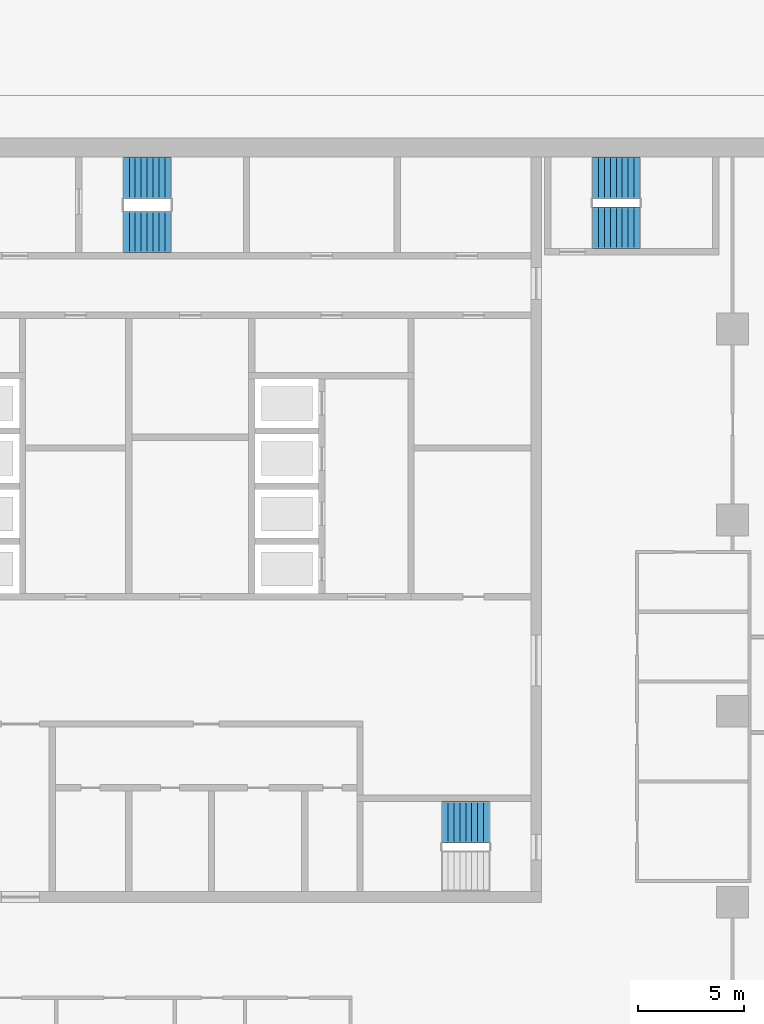
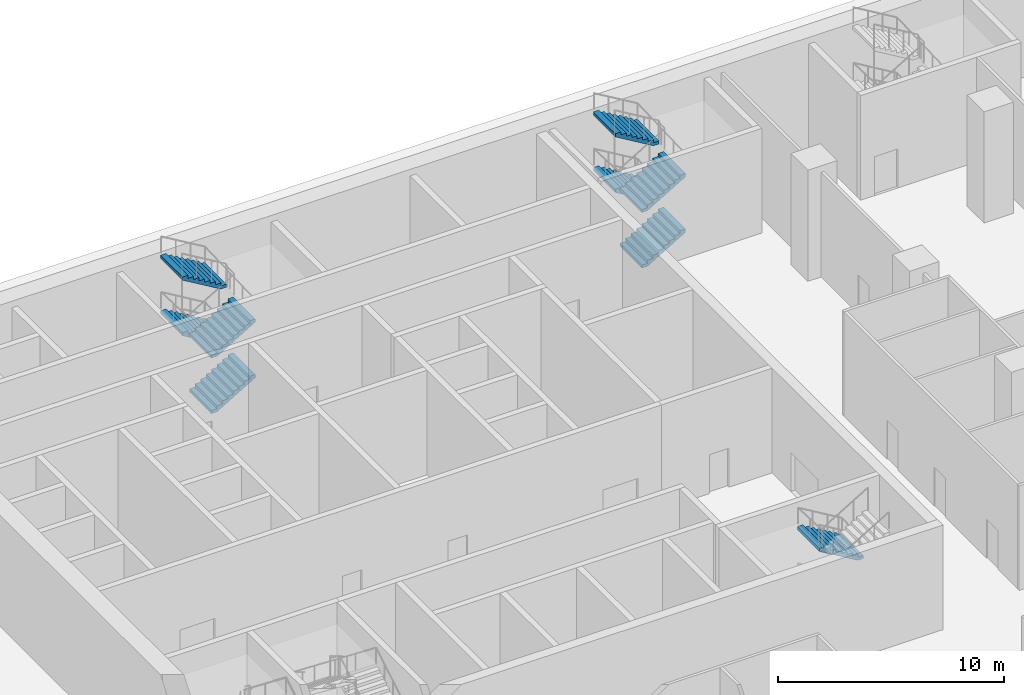
# One storey, part 31 of 47: 9 stair flights, 3 elements without a shape of their own.
"""IFC4 building model written with IfcOpenShell, lengths in metres."""

from ifc_helpers import new_model, si_unit, direction, frame, origin, place, context, subcontext, project, spatial, polyline, outline, extrude, material, type_object, element, aggregate, save


model = new_model("IFC4")

# Units and contexts
model_context = context("Model", 3, precision=1e-05, world=origin(), true_north=direction((0.0, 1.0)))
body_context = subcontext(model_context, "Body", "Model", "MODEL_VIEW")
ifc_project = project(units=[si_unit("LENGTHUNIT", "METRE"), si_unit("AREAUNIT", "SQUARE_METRE"), si_unit("VOLUMEUNIT", "CUBIC_METRE"), si_unit("PLANEANGLEUNIT", "RADIAN"), si_unit("MASSUNIT", "GRAM", prefix="KILO")], contexts=[model_context])

# Site, building, storey
site_placement = place(None, origin())
site = spatial("IfcSite", under=ifc_project, at=site_placement, CompositionType="ELEMENT")
building_placement = place(site_placement, origin())
building = spatial("IfcBuilding", under=site, at=building_placement, Name="Hunhe Ridgeline Campus", CompositionType="ELEMENT")
storey_placement = place(building_placement, origin())
storey = spatial("IfcBuildingStorey", under=building, at=storey_placement, Name="L00", CompositionType="ELEMENT", Elevation=0.0)

# Stair, stair flights
ifc_material = material(Name="Concrete C40", Category="concrete")
stair_type = type_object("IfcStairType", Name="Reinforced concrete dog-leg stair 1950 Concrete C40", PredefinedType="HALF_TURN_STAIR", material=ifc_material)
stair_1_placement = place(storey_placement, origin())
stair_1 = element("IfcStair", 1, at=stair_1_placement, inside=storey, type_object=stair_type, Name="L00 S1", PredefinedType="HALF_TURN_STAIR")
stair_flight_type = type_object("IfcStairFlightType", Name="Reinforced concrete stair flight 1950 Concrete C40", PredefinedType="STRAIGHT", material=ifc_material)
stair_flight_1_placement = place(storey_placement, frame((16.300048828125, 94.574951171875, 0.0), z_axis=(0.0, 0.0, 1.0), x_axis=(1.0, 0.0, 0.0)))
stair_flight_1 = element("IfcStairFlight", 2, at=stair_flight_1_placement, type_object=stair_flight_type, Name="ST1 flight 1", NumberOfRisers=9, NumberOfTreads=8, PredefinedType="STRAIGHT", RiserHeight=0.166666667, TreadLength=0.28, context=body_context, shape_type="SweptSolid", body=[
    extrude(outline(polyline([(0.0, 0.0), (0.0, 0.166748046875), (0.280029296875, 0.166748046875), (0.280029296875, 0.333251953125), (0.56005859375, 0.333251953125), (0.56005859375, 0.5), (0.840087890625, 0.5), (0.840087890625, 0.666748046875), (1.1201171875, 0.666748046875), (1.1201171875, 0.833251953125), (1.39990234375, 0.833251953125), (1.39990234375, 1.0), (1.679931640625, 1.0), (1.679931640625, 1.166748046875), (1.9599609375, 1.166748046875), (1.9599609375, 1.333251953125), (2.239990234375, 1.333251953125), (2.239990234375, 1.5), (2.239990234375, 1.158935546875), (0.29296875, 0.0), (0.0, 0.0)])), frame((0.0, 0.97509765625, 0.0), z_axis=(0.0, -1.0, 0.0), x_axis=(1.0, 0.0, 0.0)), (0.0, 0.0, 1.0), 1.949951171875),
    extrude(outline(polyline([(0.030029296875, 0.030029296875), (0.030029296875, 0.13671875), (0.31005859375, 0.13671875), (0.31005859375, 0.30322265625), (0.590087890625, 0.30322265625), (0.590087890625, 0.469970703125), (0.8701171875, 0.469970703125), (0.8701171875, 0.63671875), (1.14990234375, 0.63671875), (1.14990234375, 0.80322265625), (1.429931640625, 0.80322265625), (1.429931640625, 0.969970703125), (1.7099609375, 0.969970703125), (1.7099609375, 1.13671875), (1.989990234375, 1.13671875), (1.989990234375, 1.30322265625), (2.2099609375, 1.30322265625), (2.2099609375, 1.17578125), (0.284912109375, 0.030029296875), (0.030029296875, 0.030029296875)])), frame((0.0, -0.070068359375, 0.0), z_axis=(0.0, -1.0, 0.0), x_axis=(1.0, 0.0, 0.0)), (0.0, 0.0, 1.0), 0.019775390625),
    extrude(outline(polyline([(0.030029296875, 0.030029296875), (0.030029296875, 0.13671875), (0.31005859375, 0.13671875), (0.31005859375, 0.30322265625), (0.590087890625, 0.30322265625), (0.590087890625, 0.469970703125), (0.8701171875, 0.469970703125), (0.8701171875, 0.63671875), (1.14990234375, 0.63671875), (1.14990234375, 0.80322265625), (1.429931640625, 0.80322265625), (1.429931640625, 0.969970703125), (1.7099609375, 0.969970703125), (1.7099609375, 1.13671875), (1.989990234375, 1.13671875), (1.989990234375, 1.30322265625), (2.2099609375, 1.30322265625), (2.2099609375, 1.17578125), (0.284912109375, 0.030029296875), (0.030029296875, 0.030029296875)])), frame((0.0, 0.010009765625, 0.0), z_axis=(0.0, -1.0, 0.0), x_axis=(1.0, 0.0, 0.0)), (0.0, 0.0, 1.0), 0.019775390625),
    extrude(outline(polyline([(0.030029296875, 0.030029296875), (0.030029296875, 0.13671875), (0.31005859375, 0.13671875), (0.31005859375, 0.30322265625), (0.590087890625, 0.30322265625), (0.590087890625, 0.469970703125), (0.8701171875, 0.469970703125), (0.8701171875, 0.63671875), (1.14990234375, 0.63671875), (1.14990234375, 0.80322265625), (1.429931640625, 0.80322265625), (1.429931640625, 0.969970703125), (1.7099609375, 0.969970703125), (1.7099609375, 1.13671875), (1.989990234375, 1.13671875), (1.989990234375, 1.30322265625), (2.2099609375, 1.30322265625), (2.2099609375, 1.17578125), (0.284912109375, 0.030029296875), (0.030029296875, 0.030029296875)])), frame((0.0, 0.090087890625, 0.0), z_axis=(0.0, -1.0, 0.0), x_axis=(1.0, 0.0, 0.0)), (0.0, 0.0, 1.0), 0.019775390625),
])
stair_flight_2_placement = place(storey_placement, frame((18.5400390625, 97.125, 1.5), z_axis=(0.0, 0.0, 1.0), x_axis=(-1.0, 0.0, 0.0)))
stair_flight_2 = element("IfcStairFlight", 3, at=stair_flight_2_placement, type_object=stair_flight_type, Name="ST1 flight 2", NumberOfRisers=9, NumberOfTreads=8, PredefinedType="STRAIGHT", RiserHeight=0.166666667, TreadLength=0.28, context=body_context, shape_type="SweptSolid", body=[
    extrude(outline(polyline([(0.0, 0.0), (0.0, 0.166748046875), (0.280029296875, 0.166748046875), (0.280029296875, 0.333251953125), (0.56005859375, 0.333251953125), (0.56005859375, 0.5), (0.840087890625, 0.5), (0.840087890625, 0.666748046875), (1.1201171875, 0.666748046875), (1.1201171875, 0.833251953125), (1.39990234375, 0.833251953125), (1.39990234375, 1.0), (1.679931640625, 1.0), (1.679931640625, 1.166748046875), (1.9599609375, 1.166748046875), (1.9599609375, 1.333251953125), (2.239990234375, 1.333251953125), (2.239990234375, 1.5), (2.239990234375, 1.158935546875), (0.29296875, 0.0), (0.0, 0.0)])), frame((0.0, 0.97509765625, 0.0), z_axis=(0.0, -1.0, 0.0), x_axis=(1.0, 0.0, 0.0)), (0.0, 0.0, 1.0), 1.949951171875),
    extrude(outline(polyline([(0.030029296875, 0.030029296875), (0.030029296875, 0.13671875), (0.31005859375, 0.13671875), (0.31005859375, 0.30322265625), (0.590087890625, 0.30322265625), (0.590087890625, 0.469970703125), (0.8701171875, 0.469970703125), (0.8701171875, 0.63671875), (1.14990234375, 0.63671875), (1.14990234375, 0.80322265625), (1.429931640625, 0.80322265625), (1.429931640625, 0.969970703125), (1.7099609375, 0.969970703125), (1.7099609375, 1.13671875), (1.989990234375, 1.13671875), (1.989990234375, 1.30322265625), (2.2099609375, 1.30322265625), (2.2099609375, 1.17578125), (0.284912109375, 0.030029296875), (0.030029296875, 0.030029296875)])), frame((0.0, -0.070068359375, 0.0), z_axis=(0.0, -1.0, 0.0), x_axis=(1.0, 0.0, 0.0)), (0.0, 0.0, 1.0), 0.019775390625),
    extrude(outline(polyline([(0.030029296875, 0.030029296875), (0.030029296875, 0.13671875), (0.31005859375, 0.13671875), (0.31005859375, 0.30322265625), (0.590087890625, 0.30322265625), (0.590087890625, 0.469970703125), (0.8701171875, 0.469970703125), (0.8701171875, 0.63671875), (1.14990234375, 0.63671875), (1.14990234375, 0.80322265625), (1.429931640625, 0.80322265625), (1.429931640625, 0.969970703125), (1.7099609375, 0.969970703125), (1.7099609375, 1.13671875), (1.989990234375, 1.13671875), (1.989990234375, 1.30322265625), (2.2099609375, 1.30322265625), (2.2099609375, 1.17578125), (0.284912109375, 0.030029296875), (0.030029296875, 0.030029296875)])), frame((0.0, 0.010009765625, 0.0), z_axis=(0.0, -1.0, 0.0), x_axis=(1.0, 0.0, 0.0)), (0.0, 0.0, 1.0), 0.019775390625),
    extrude(outline(polyline([(0.030029296875, 0.030029296875), (0.030029296875, 0.13671875), (0.31005859375, 0.13671875), (0.31005859375, 0.30322265625), (0.590087890625, 0.30322265625), (0.590087890625, 0.469970703125), (0.8701171875, 0.469970703125), (0.8701171875, 0.63671875), (1.14990234375, 0.63671875), (1.14990234375, 0.80322265625), (1.429931640625, 0.80322265625), (1.429931640625, 0.969970703125), (1.7099609375, 0.969970703125), (1.7099609375, 1.13671875), (1.989990234375, 1.13671875), (1.989990234375, 1.30322265625), (2.2099609375, 1.30322265625), (2.2099609375, 1.17578125), (0.284912109375, 0.030029296875), (0.030029296875, 0.030029296875)])), frame((0.0, 0.090087890625, 0.0), z_axis=(0.0, -1.0, 0.0), x_axis=(1.0, 0.0, 0.0)), (0.0, 0.0, 1.0), 0.019775390625),
])
stair_flight_3_placement = place(storey_placement, frame((16.300048828125, 94.574951171875, 3.0), z_axis=(0.0, 0.0, 1.0), x_axis=(1.0, 0.0, 0.0)))
stair_flight_3 = element("IfcStairFlight", 4, at=stair_flight_3_placement, type_object=stair_flight_type, Name="ST1 flight 3", NumberOfRisers=9, NumberOfTreads=8, PredefinedType="STRAIGHT", RiserHeight=0.166666667, TreadLength=0.28, context=body_context, shape_type="SweptSolid", body=[
    extrude(outline(polyline([(0.0, 0.0), (0.0, 0.166748046875), (0.280029296875, 0.166748046875), (0.280029296875, 0.333251953125), (0.56005859375, 0.333251953125), (0.56005859375, 0.5), (0.840087890625, 0.5), (0.840087890625, 0.666748046875), (1.1201171875, 0.666748046875), (1.1201171875, 0.833251953125), (1.39990234375, 0.833251953125), (1.39990234375, 1.0), (1.679931640625, 1.0), (1.679931640625, 1.166748046875), (1.9599609375, 1.166748046875), (1.9599609375, 1.333251953125), (2.239990234375, 1.333251953125), (2.239990234375, 1.5), (2.239990234375, 1.158935546875), (0.29296875, 0.0), (0.0, 0.0)])), frame((0.0, 0.97509765625, 0.0), z_axis=(0.0, -1.0, 0.0), x_axis=(1.0, 0.0, 0.0)), (0.0, 0.0, 1.0), 1.949951171875),
    extrude(outline(polyline([(0.030029296875, 0.030029296875), (0.030029296875, 0.13671875), (0.31005859375, 0.13671875), (0.31005859375, 0.30322265625), (0.590087890625, 0.30322265625), (0.590087890625, 0.469970703125), (0.8701171875, 0.469970703125), (0.8701171875, 0.63671875), (1.14990234375, 0.63671875), (1.14990234375, 0.80322265625), (1.429931640625, 0.80322265625), (1.429931640625, 0.969970703125), (1.7099609375, 0.969970703125), (1.7099609375, 1.13671875), (1.989990234375, 1.13671875), (1.989990234375, 1.30322265625), (2.2099609375, 1.30322265625), (2.2099609375, 1.17578125), (0.284912109375, 0.030029296875), (0.030029296875, 0.030029296875)])), frame((0.0, -0.070068359375, 0.0), z_axis=(0.0, -1.0, 0.0), x_axis=(1.0, 0.0, 0.0)), (0.0, 0.0, 1.0), 0.019775390625),
    extrude(outline(polyline([(0.030029296875, 0.030029296875), (0.030029296875, 0.13671875), (0.31005859375, 0.13671875), (0.31005859375, 0.30322265625), (0.590087890625, 0.30322265625), (0.590087890625, 0.469970703125), (0.8701171875, 0.469970703125), (0.8701171875, 0.63671875), (1.14990234375, 0.63671875), (1.14990234375, 0.80322265625), (1.429931640625, 0.80322265625), (1.429931640625, 0.969970703125), (1.7099609375, 0.969970703125), (1.7099609375, 1.13671875), (1.989990234375, 1.13671875), (1.989990234375, 1.30322265625), (2.2099609375, 1.30322265625), (2.2099609375, 1.17578125), (0.284912109375, 0.030029296875), (0.030029296875, 0.030029296875)])), frame((0.0, 0.010009765625, 0.0), z_axis=(0.0, -1.0, 0.0), x_axis=(1.0, 0.0, 0.0)), (0.0, 0.0, 1.0), 0.019775390625),
    extrude(outline(polyline([(0.030029296875, 0.030029296875), (0.030029296875, 0.13671875), (0.31005859375, 0.13671875), (0.31005859375, 0.30322265625), (0.590087890625, 0.30322265625), (0.590087890625, 0.469970703125), (0.8701171875, 0.469970703125), (0.8701171875, 0.63671875), (1.14990234375, 0.63671875), (1.14990234375, 0.80322265625), (1.429931640625, 0.80322265625), (1.429931640625, 0.969970703125), (1.7099609375, 0.969970703125), (1.7099609375, 1.13671875), (1.989990234375, 1.13671875), (1.989990234375, 1.30322265625), (2.2099609375, 1.30322265625), (2.2099609375, 1.17578125), (0.284912109375, 0.030029296875), (0.030029296875, 0.030029296875)])), frame((0.0, 0.090087890625, 0.0), z_axis=(0.0, -1.0, 0.0), x_axis=(1.0, 0.0, 0.0)), (0.0, 0.0, 1.0), 0.019775390625),
])
stair_flight_4_placement = place(storey_placement, frame((18.5400390625, 97.125, 4.5), z_axis=(0.0, 0.0, 1.0), x_axis=(-1.0, 0.0, 0.0)))
stair_flight_4 = element("IfcStairFlight", 5, at=stair_flight_4_placement, type_object=stair_flight_type, Name="ST1 flight 4", NumberOfRisers=9, NumberOfTreads=8, PredefinedType="STRAIGHT", RiserHeight=0.166666667, TreadLength=0.28, context=body_context, shape_type="SweptSolid", body=[
    extrude(outline(polyline([(0.0, 0.0), (0.0, 0.166748046875), (0.280029296875, 0.166748046875), (0.280029296875, 0.333251953125), (0.56005859375, 0.333251953125), (0.56005859375, 0.5), (0.840087890625, 0.5), (0.840087890625, 0.666748046875), (1.1201171875, 0.666748046875), (1.1201171875, 0.833251953125), (1.39990234375, 0.833251953125), (1.39990234375, 1.0), (1.679931640625, 1.0), (1.679931640625, 1.166748046875), (1.9599609375, 1.166748046875), (1.9599609375, 1.333251953125), (2.239990234375, 1.333251953125), (2.239990234375, 1.5), (2.239990234375, 1.158935546875), (0.29296875, 0.0), (0.0, 0.0)])), frame((0.0, 0.97509765625, 0.0), z_axis=(0.0, -1.0, 0.0), x_axis=(1.0, 0.0, 0.0)), (0.0, 0.0, 1.0), 1.949951171875),
    extrude(outline(polyline([(0.030029296875, 0.030029296875), (0.030029296875, 0.13671875), (0.31005859375, 0.13671875), (0.31005859375, 0.30322265625), (0.590087890625, 0.30322265625), (0.590087890625, 0.469970703125), (0.8701171875, 0.469970703125), (0.8701171875, 0.63671875), (1.14990234375, 0.63671875), (1.14990234375, 0.80322265625), (1.429931640625, 0.80322265625), (1.429931640625, 0.969970703125), (1.7099609375, 0.969970703125), (1.7099609375, 1.13671875), (1.989990234375, 1.13671875), (1.989990234375, 1.30322265625), (2.2099609375, 1.30322265625), (2.2099609375, 1.17578125), (0.284912109375, 0.030029296875), (0.030029296875, 0.030029296875)])), frame((0.0, -0.070068359375, 0.0), z_axis=(0.0, -1.0, 0.0), x_axis=(1.0, 0.0, 0.0)), (0.0, 0.0, 1.0), 0.019775390625),
    extrude(outline(polyline([(0.030029296875, 0.030029296875), (0.030029296875, 0.13671875), (0.31005859375, 0.13671875), (0.31005859375, 0.30322265625), (0.590087890625, 0.30322265625), (0.590087890625, 0.469970703125), (0.8701171875, 0.469970703125), (0.8701171875, 0.63671875), (1.14990234375, 0.63671875), (1.14990234375, 0.80322265625), (1.429931640625, 0.80322265625), (1.429931640625, 0.969970703125), (1.7099609375, 0.969970703125), (1.7099609375, 1.13671875), (1.989990234375, 1.13671875), (1.989990234375, 1.30322265625), (2.2099609375, 1.30322265625), (2.2099609375, 1.17578125), (0.284912109375, 0.030029296875), (0.030029296875, 0.030029296875)])), frame((0.0, 0.010009765625, 0.0), z_axis=(0.0, -1.0, 0.0), x_axis=(1.0, 0.0, 0.0)), (0.0, 0.0, 1.0), 0.019775390625),
    extrude(outline(polyline([(0.030029296875, 0.030029296875), (0.030029296875, 0.13671875), (0.31005859375, 0.13671875), (0.31005859375, 0.30322265625), (0.590087890625, 0.30322265625), (0.590087890625, 0.469970703125), (0.8701171875, 0.469970703125), (0.8701171875, 0.63671875), (1.14990234375, 0.63671875), (1.14990234375, 0.80322265625), (1.429931640625, 0.80322265625), (1.429931640625, 0.969970703125), (1.7099609375, 0.969970703125), (1.7099609375, 1.13671875), (1.989990234375, 1.13671875), (1.989990234375, 1.30322265625), (2.2099609375, 1.30322265625), (2.2099609375, 1.17578125), (0.284912109375, 0.030029296875), (0.030029296875, 0.030029296875)])), frame((0.0, 0.090087890625, 0.0), z_axis=(0.0, -1.0, 0.0), x_axis=(1.0, 0.0, 0.0)), (0.0, 0.0, 1.0), 0.019775390625),
])
aggregate(stair_1, [stair_flight_1, stair_flight_2, stair_flight_3, stair_flight_4])

# Stair, stair flight
stair_2_placement = place(storey_placement, origin())
stair_2 = element("IfcStair", 6, at=stair_2_placement, inside=storey, type_object=stair_type, Name="L00 S2", PredefinedType="HALF_TURN_STAIR")
stair_flight_5_placement = place(storey_placement, frame((33.550048828125, 66.77490234375, 3.0), z_axis=(0.0, 0.0, 1.0), x_axis=(-1.0, 0.0, 0.0)))
stair_flight_5 = element("IfcStairFlight", 7, at=stair_flight_5_placement, type_object=stair_flight_type, Name="ST2 flight 3", NumberOfRisers=9, NumberOfTreads=8, PredefinedType="STRAIGHT", RiserHeight=0.166666667, TreadLength=0.28, context=body_context, shape_type="SweptSolid", body=[
    extrude(outline(polyline([(0.0, 0.0), (0.0, 0.166748046875), (0.280029296875, 0.166748046875), (0.280029296875, 0.333251953125), (0.56005859375, 0.333251953125), (0.56005859375, 0.5), (0.840087890625, 0.5), (0.840087890625, 0.666748046875), (1.1201171875, 0.666748046875), (1.1201171875, 0.833251953125), (1.39990234375, 0.833251953125), (1.39990234375, 1.0), (1.679931640625, 1.0), (1.679931640625, 1.166748046875), (1.9599609375, 1.166748046875), (1.9599609375, 1.333251953125), (2.239990234375, 1.333251953125), (2.239990234375, 1.5), (2.239990234375, 1.158935546875), (0.29296875, 0.0), (0.0, 0.0)])), frame((0.0, 0.97509765625, 0.0), z_axis=(0.0, -1.0, 0.0), x_axis=(1.0, 0.0, 0.0)), (0.0, 0.0, 1.0), 1.949951171875),
    extrude(outline(polyline([(0.030029296875, 0.030029296875), (0.030029296875, 0.13671875), (0.31005859375, 0.13671875), (0.31005859375, 0.30322265625), (0.590087890625, 0.30322265625), (0.590087890625, 0.469970703125), (0.8701171875, 0.469970703125), (0.8701171875, 0.63671875), (1.14990234375, 0.63671875), (1.14990234375, 0.80322265625), (1.429931640625, 0.80322265625), (1.429931640625, 0.969970703125), (1.7099609375, 0.969970703125), (1.7099609375, 1.13671875), (1.989990234375, 1.13671875), (1.989990234375, 1.30322265625), (2.2099609375, 1.30322265625), (2.2099609375, 1.17578125), (0.284912109375, 0.030029296875), (0.030029296875, 0.030029296875)])), frame((0.0, -0.070068359375, 0.0), z_axis=(0.0, -1.0, 0.0), x_axis=(1.0, 0.0, 0.0)), (0.0, 0.0, 1.0), 0.019775390625),
    extrude(outline(polyline([(0.030029296875, 0.030029296875), (0.030029296875, 0.13671875), (0.31005859375, 0.13671875), (0.31005859375, 0.30322265625), (0.590087890625, 0.30322265625), (0.590087890625, 0.469970703125), (0.8701171875, 0.469970703125), (0.8701171875, 0.63671875), (1.14990234375, 0.63671875), (1.14990234375, 0.80322265625), (1.429931640625, 0.80322265625), (1.429931640625, 0.969970703125), (1.7099609375, 0.969970703125), (1.7099609375, 1.13671875), (1.989990234375, 1.13671875), (1.989990234375, 1.30322265625), (2.2099609375, 1.30322265625), (2.2099609375, 1.17578125), (0.284912109375, 0.030029296875), (0.030029296875, 0.030029296875)])), frame((0.0, 0.010009765625, 0.0), z_axis=(0.0, -1.0, 0.0), x_axis=(1.0, 0.0, 0.0)), (0.0, 0.0, 1.0), 0.019775390625),
    extrude(outline(polyline([(0.030029296875, 0.030029296875), (0.030029296875, 0.13671875), (0.31005859375, 0.13671875), (0.31005859375, 0.30322265625), (0.590087890625, 0.30322265625), (0.590087890625, 0.469970703125), (0.8701171875, 0.469970703125), (0.8701171875, 0.63671875), (1.14990234375, 0.63671875), (1.14990234375, 0.80322265625), (1.429931640625, 0.80322265625), (1.429931640625, 0.969970703125), (1.7099609375, 0.969970703125), (1.7099609375, 1.13671875), (1.989990234375, 1.13671875), (1.989990234375, 1.30322265625), (2.2099609375, 1.30322265625), (2.2099609375, 1.17578125), (0.284912109375, 0.030029296875), (0.030029296875, 0.030029296875)])), frame((0.0, 0.090087890625, 0.0), z_axis=(0.0, -1.0, 0.0), x_axis=(1.0, 0.0, 0.0)), (0.0, 0.0, 1.0), 0.019775390625),
])
aggregate(stair_2, [stair_flight_5])

# Stair, stair flights
stair_3_placement = place(storey_placement, origin())
stair_3 = element("IfcStair", 8, at=stair_3_placement, inside=storey, type_object=stair_type, Name="L00 E1", PredefinedType="HALF_TURN_STAIR")
stair_flight_6_placement = place(storey_placement, frame((38.39990234375, 94.77490234375, 0.0), z_axis=(0.0, 0.0, 1.0), x_axis=(1.0, 0.0, 0.0)))
stair_flight_6 = element("IfcStairFlight", 9, at=stair_flight_6_placement, type_object=stair_flight_type, Name="ST5 flight 1", NumberOfRisers=9, NumberOfTreads=8, PredefinedType="STRAIGHT", RiserHeight=0.166666667, TreadLength=0.28, context=body_context, shape_type="SweptSolid", body=[
    extrude(outline(polyline([(0.0, 0.0), (0.0, 0.166748046875), (0.280029296875, 0.166748046875), (0.280029296875, 0.333251953125), (0.56005859375, 0.333251953125), (0.56005859375, 0.5), (0.840087890625, 0.5), (0.840087890625, 0.666748046875), (1.1201171875, 0.666748046875), (1.1201171875, 0.833251953125), (1.39990234375, 0.833251953125), (1.39990234375, 1.0), (1.679931640625, 1.0), (1.679931640625, 1.166748046875), (1.9599609375, 1.166748046875), (1.9599609375, 1.333251953125), (2.239990234375, 1.333251953125), (2.239990234375, 1.5), (2.239990234375, 1.158935546875), (0.29296875, 0.0), (0.0, 0.0)])), frame((0.0, 0.97509765625, 0.0), z_axis=(0.0, -1.0, 0.0), x_axis=(1.0, 0.0, 0.0)), (0.0, 0.0, 1.0), 1.949951171875),
    extrude(outline(polyline([(0.030029296875, 0.030029296875), (0.030029296875, 0.13671875), (0.31005859375, 0.13671875), (0.31005859375, 0.30322265625), (0.590087890625, 0.30322265625), (0.590087890625, 0.469970703125), (0.8701171875, 0.469970703125), (0.8701171875, 0.63671875), (1.14990234375, 0.63671875), (1.14990234375, 0.80322265625), (1.429931640625, 0.80322265625), (1.429931640625, 0.969970703125), (1.7099609375, 0.969970703125), (1.7099609375, 1.13671875), (1.989990234375, 1.13671875), (1.989990234375, 1.30322265625), (2.2099609375, 1.30322265625), (2.2099609375, 1.17578125), (0.284912109375, 0.030029296875), (0.030029296875, 0.030029296875)])), frame((0.0, -0.070068359375, 0.0), z_axis=(0.0, -1.0, 0.0), x_axis=(1.0, 0.0, 0.0)), (0.0, 0.0, 1.0), 0.019775390625),
    extrude(outline(polyline([(0.030029296875, 0.030029296875), (0.030029296875, 0.13671875), (0.31005859375, 0.13671875), (0.31005859375, 0.30322265625), (0.590087890625, 0.30322265625), (0.590087890625, 0.469970703125), (0.8701171875, 0.469970703125), (0.8701171875, 0.63671875), (1.14990234375, 0.63671875), (1.14990234375, 0.80322265625), (1.429931640625, 0.80322265625), (1.429931640625, 0.969970703125), (1.7099609375, 0.969970703125), (1.7099609375, 1.13671875), (1.989990234375, 1.13671875), (1.989990234375, 1.30322265625), (2.2099609375, 1.30322265625), (2.2099609375, 1.17578125), (0.284912109375, 0.030029296875), (0.030029296875, 0.030029296875)])), frame((0.0, 0.010009765625, 0.0), z_axis=(0.0, -1.0, 0.0), x_axis=(1.0, 0.0, 0.0)), (0.0, 0.0, 1.0), 0.019775390625),
    extrude(outline(polyline([(0.030029296875, 0.030029296875), (0.030029296875, 0.13671875), (0.31005859375, 0.13671875), (0.31005859375, 0.30322265625), (0.590087890625, 0.30322265625), (0.590087890625, 0.469970703125), (0.8701171875, 0.469970703125), (0.8701171875, 0.63671875), (1.14990234375, 0.63671875), (1.14990234375, 0.80322265625), (1.429931640625, 0.80322265625), (1.429931640625, 0.969970703125), (1.7099609375, 0.969970703125), (1.7099609375, 1.13671875), (1.989990234375, 1.13671875), (1.989990234375, 1.30322265625), (2.2099609375, 1.30322265625), (2.2099609375, 1.17578125), (0.284912109375, 0.030029296875), (0.030029296875, 0.030029296875)])), frame((0.0, 0.090087890625, 0.0), z_axis=(0.0, -1.0, 0.0), x_axis=(1.0, 0.0, 0.0)), (0.0, 0.0, 1.0), 0.019775390625),
])
stair_flight_7_placement = place(storey_placement, frame((40.639892578125, 97.125, 1.5), z_axis=(0.0, 0.0, 1.0), x_axis=(-1.0, 0.0, 0.0)))
stair_flight_7 = element("IfcStairFlight", 10, at=stair_flight_7_placement, type_object=stair_flight_type, Name="ST5 flight 2", NumberOfRisers=9, NumberOfTreads=8, PredefinedType="STRAIGHT", RiserHeight=0.166666667, TreadLength=0.28, context=body_context, shape_type="SweptSolid", body=[
    extrude(outline(polyline([(0.0, 0.0), (0.0, 0.166748046875), (0.280029296875, 0.166748046875), (0.280029296875, 0.333251953125), (0.56005859375, 0.333251953125), (0.56005859375, 0.5), (0.840087890625, 0.5), (0.840087890625, 0.666748046875), (1.1201171875, 0.666748046875), (1.1201171875, 0.833251953125), (1.39990234375, 0.833251953125), (1.39990234375, 1.0), (1.679931640625, 1.0), (1.679931640625, 1.166748046875), (1.9599609375, 1.166748046875), (1.9599609375, 1.333251953125), (2.239990234375, 1.333251953125), (2.239990234375, 1.5), (2.239990234375, 1.158935546875), (0.29296875, 0.0), (0.0, 0.0)])), frame((0.0, 0.97509765625, 0.0), z_axis=(0.0, -1.0, 0.0), x_axis=(1.0, 0.0, 0.0)), (0.0, 0.0, 1.0), 1.949951171875),
    extrude(outline(polyline([(0.030029296875, 0.030029296875), (0.030029296875, 0.13671875), (0.31005859375, 0.13671875), (0.31005859375, 0.30322265625), (0.590087890625, 0.30322265625), (0.590087890625, 0.469970703125), (0.8701171875, 0.469970703125), (0.8701171875, 0.63671875), (1.14990234375, 0.63671875), (1.14990234375, 0.80322265625), (1.429931640625, 0.80322265625), (1.429931640625, 0.969970703125), (1.7099609375, 0.969970703125), (1.7099609375, 1.13671875), (1.989990234375, 1.13671875), (1.989990234375, 1.30322265625), (2.2099609375, 1.30322265625), (2.2099609375, 1.17578125), (0.284912109375, 0.030029296875), (0.030029296875, 0.030029296875)])), frame((0.0, -0.070068359375, 0.0), z_axis=(0.0, -1.0, 0.0), x_axis=(1.0, 0.0, 0.0)), (0.0, 0.0, 1.0), 0.019775390625),
    extrude(outline(polyline([(0.030029296875, 0.030029296875), (0.030029296875, 0.13671875), (0.31005859375, 0.13671875), (0.31005859375, 0.30322265625), (0.590087890625, 0.30322265625), (0.590087890625, 0.469970703125), (0.8701171875, 0.469970703125), (0.8701171875, 0.63671875), (1.14990234375, 0.63671875), (1.14990234375, 0.80322265625), (1.429931640625, 0.80322265625), (1.429931640625, 0.969970703125), (1.7099609375, 0.969970703125), (1.7099609375, 1.13671875), (1.989990234375, 1.13671875), (1.989990234375, 1.30322265625), (2.2099609375, 1.30322265625), (2.2099609375, 1.17578125), (0.284912109375, 0.030029296875), (0.030029296875, 0.030029296875)])), frame((0.0, 0.010009765625, 0.0), z_axis=(0.0, -1.0, 0.0), x_axis=(1.0, 0.0, 0.0)), (0.0, 0.0, 1.0), 0.019775390625),
    extrude(outline(polyline([(0.030029296875, 0.030029296875), (0.030029296875, 0.13671875), (0.31005859375, 0.13671875), (0.31005859375, 0.30322265625), (0.590087890625, 0.30322265625), (0.590087890625, 0.469970703125), (0.8701171875, 0.469970703125), (0.8701171875, 0.63671875), (1.14990234375, 0.63671875), (1.14990234375, 0.80322265625), (1.429931640625, 0.80322265625), (1.429931640625, 0.969970703125), (1.7099609375, 0.969970703125), (1.7099609375, 1.13671875), (1.989990234375, 1.13671875), (1.989990234375, 1.30322265625), (2.2099609375, 1.30322265625), (2.2099609375, 1.17578125), (0.284912109375, 0.030029296875), (0.030029296875, 0.030029296875)])), frame((0.0, 0.090087890625, 0.0), z_axis=(0.0, -1.0, 0.0), x_axis=(1.0, 0.0, 0.0)), (0.0, 0.0, 1.0), 0.019775390625),
])
stair_flight_8_placement = place(storey_placement, frame((38.39990234375, 94.77490234375, 3.0), z_axis=(0.0, 0.0, 1.0), x_axis=(1.0, 0.0, 0.0)))
stair_flight_8 = element("IfcStairFlight", 11, at=stair_flight_8_placement, type_object=stair_flight_type, Name="ST5 flight 3", NumberOfRisers=9, NumberOfTreads=8, PredefinedType="STRAIGHT", RiserHeight=0.166666667, TreadLength=0.28, context=body_context, shape_type="SweptSolid", body=[
    extrude(outline(polyline([(0.0, 0.0), (0.0, 0.166748046875), (0.280029296875, 0.166748046875), (0.280029296875, 0.333251953125), (0.56005859375, 0.333251953125), (0.56005859375, 0.5), (0.840087890625, 0.5), (0.840087890625, 0.666748046875), (1.1201171875, 0.666748046875), (1.1201171875, 0.833251953125), (1.39990234375, 0.833251953125), (1.39990234375, 1.0), (1.679931640625, 1.0), (1.679931640625, 1.166748046875), (1.9599609375, 1.166748046875), (1.9599609375, 1.333251953125), (2.239990234375, 1.333251953125), (2.239990234375, 1.5), (2.239990234375, 1.158935546875), (0.29296875, 0.0), (0.0, 0.0)])), frame((0.0, 0.97509765625, 0.0), z_axis=(0.0, -1.0, 0.0), x_axis=(1.0, 0.0, 0.0)), (0.0, 0.0, 1.0), 1.949951171875),
    extrude(outline(polyline([(0.030029296875, 0.030029296875), (0.030029296875, 0.13671875), (0.31005859375, 0.13671875), (0.31005859375, 0.30322265625), (0.590087890625, 0.30322265625), (0.590087890625, 0.469970703125), (0.8701171875, 0.469970703125), (0.8701171875, 0.63671875), (1.14990234375, 0.63671875), (1.14990234375, 0.80322265625), (1.429931640625, 0.80322265625), (1.429931640625, 0.969970703125), (1.7099609375, 0.969970703125), (1.7099609375, 1.13671875), (1.989990234375, 1.13671875), (1.989990234375, 1.30322265625), (2.2099609375, 1.30322265625), (2.2099609375, 1.17578125), (0.284912109375, 0.030029296875), (0.030029296875, 0.030029296875)])), frame((0.0, -0.070068359375, 0.0), z_axis=(0.0, -1.0, 0.0), x_axis=(1.0, 0.0, 0.0)), (0.0, 0.0, 1.0), 0.019775390625),
    extrude(outline(polyline([(0.030029296875, 0.030029296875), (0.030029296875, 0.13671875), (0.31005859375, 0.13671875), (0.31005859375, 0.30322265625), (0.590087890625, 0.30322265625), (0.590087890625, 0.469970703125), (0.8701171875, 0.469970703125), (0.8701171875, 0.63671875), (1.14990234375, 0.63671875), (1.14990234375, 0.80322265625), (1.429931640625, 0.80322265625), (1.429931640625, 0.969970703125), (1.7099609375, 0.969970703125), (1.7099609375, 1.13671875), (1.989990234375, 1.13671875), (1.989990234375, 1.30322265625), (2.2099609375, 1.30322265625), (2.2099609375, 1.17578125), (0.284912109375, 0.030029296875), (0.030029296875, 0.030029296875)])), frame((0.0, 0.010009765625, 0.0), z_axis=(0.0, -1.0, 0.0), x_axis=(1.0, 0.0, 0.0)), (0.0, 0.0, 1.0), 0.019775390625),
    extrude(outline(polyline([(0.030029296875, 0.030029296875), (0.030029296875, 0.13671875), (0.31005859375, 0.13671875), (0.31005859375, 0.30322265625), (0.590087890625, 0.30322265625), (0.590087890625, 0.469970703125), (0.8701171875, 0.469970703125), (0.8701171875, 0.63671875), (1.14990234375, 0.63671875), (1.14990234375, 0.80322265625), (1.429931640625, 0.80322265625), (1.429931640625, 0.969970703125), (1.7099609375, 0.969970703125), (1.7099609375, 1.13671875), (1.989990234375, 1.13671875), (1.989990234375, 1.30322265625), (2.2099609375, 1.30322265625), (2.2099609375, 1.17578125), (0.284912109375, 0.030029296875), (0.030029296875, 0.030029296875)])), frame((0.0, 0.090087890625, 0.0), z_axis=(0.0, -1.0, 0.0), x_axis=(1.0, 0.0, 0.0)), (0.0, 0.0, 1.0), 0.019775390625),
])
stair_flight_9_placement = place(storey_placement, frame((40.639892578125, 97.125, 4.5), z_axis=(0.0, 0.0, 1.0), x_axis=(-1.0, 0.0, 0.0)))
stair_flight_9 = element("IfcStairFlight", 12, at=stair_flight_9_placement, type_object=stair_flight_type, Name="ST5 flight 4", NumberOfRisers=9, NumberOfTreads=8, PredefinedType="STRAIGHT", RiserHeight=0.166666667, TreadLength=0.28, context=body_context, shape_type="SweptSolid", body=[
    extrude(outline(polyline([(0.0, 0.0), (0.0, 0.166748046875), (0.280029296875, 0.166748046875), (0.280029296875, 0.333251953125), (0.56005859375, 0.333251953125), (0.56005859375, 0.5), (0.840087890625, 0.5), (0.840087890625, 0.666748046875), (1.1201171875, 0.666748046875), (1.1201171875, 0.833251953125), (1.39990234375, 0.833251953125), (1.39990234375, 1.0), (1.679931640625, 1.0), (1.679931640625, 1.166748046875), (1.9599609375, 1.166748046875), (1.9599609375, 1.333251953125), (2.239990234375, 1.333251953125), (2.239990234375, 1.5), (2.239990234375, 1.158935546875), (0.29296875, 0.0), (0.0, 0.0)])), frame((0.0, 0.97509765625, 0.0), z_axis=(0.0, -1.0, 0.0), x_axis=(1.0, 0.0, 0.0)), (0.0, 0.0, 1.0), 1.949951171875),
    extrude(outline(polyline([(0.030029296875, 0.030029296875), (0.030029296875, 0.13671875), (0.31005859375, 0.13671875), (0.31005859375, 0.30322265625), (0.590087890625, 0.30322265625), (0.590087890625, 0.469970703125), (0.8701171875, 0.469970703125), (0.8701171875, 0.63671875), (1.14990234375, 0.63671875), (1.14990234375, 0.80322265625), (1.429931640625, 0.80322265625), (1.429931640625, 0.969970703125), (1.7099609375, 0.969970703125), (1.7099609375, 1.13671875), (1.989990234375, 1.13671875), (1.989990234375, 1.30322265625), (2.2099609375, 1.30322265625), (2.2099609375, 1.17578125), (0.284912109375, 0.030029296875), (0.030029296875, 0.030029296875)])), frame((0.0, -0.070068359375, 0.0), z_axis=(0.0, -1.0, 0.0), x_axis=(1.0, 0.0, 0.0)), (0.0, 0.0, 1.0), 0.019775390625),
    extrude(outline(polyline([(0.030029296875, 0.030029296875), (0.030029296875, 0.13671875), (0.31005859375, 0.13671875), (0.31005859375, 0.30322265625), (0.590087890625, 0.30322265625), (0.590087890625, 0.469970703125), (0.8701171875, 0.469970703125), (0.8701171875, 0.63671875), (1.14990234375, 0.63671875), (1.14990234375, 0.80322265625), (1.429931640625, 0.80322265625), (1.429931640625, 0.969970703125), (1.7099609375, 0.969970703125), (1.7099609375, 1.13671875), (1.989990234375, 1.13671875), (1.989990234375, 1.30322265625), (2.2099609375, 1.30322265625), (2.2099609375, 1.17578125), (0.284912109375, 0.030029296875), (0.030029296875, 0.030029296875)])), frame((0.0, 0.010009765625, 0.0), z_axis=(0.0, -1.0, 0.0), x_axis=(1.0, 0.0, 0.0)), (0.0, 0.0, 1.0), 0.019775390625),
    extrude(outline(polyline([(0.030029296875, 0.030029296875), (0.030029296875, 0.13671875), (0.31005859375, 0.13671875), (0.31005859375, 0.30322265625), (0.590087890625, 0.30322265625), (0.590087890625, 0.469970703125), (0.8701171875, 0.469970703125), (0.8701171875, 0.63671875), (1.14990234375, 0.63671875), (1.14990234375, 0.80322265625), (1.429931640625, 0.80322265625), (1.429931640625, 0.969970703125), (1.7099609375, 0.969970703125), (1.7099609375, 1.13671875), (1.989990234375, 1.13671875), (1.989990234375, 1.30322265625), (2.2099609375, 1.30322265625), (2.2099609375, 1.17578125), (0.284912109375, 0.030029296875), (0.030029296875, 0.030029296875)])), frame((0.0, 0.090087890625, 0.0), z_axis=(0.0, -1.0, 0.0), x_axis=(1.0, 0.0, 0.0)), (0.0, 0.0, 1.0), 0.019775390625),
])
aggregate(stair_3, [stair_flight_6, stair_flight_7, stair_flight_8, stair_flight_9])

save(model, "model.ifc")
